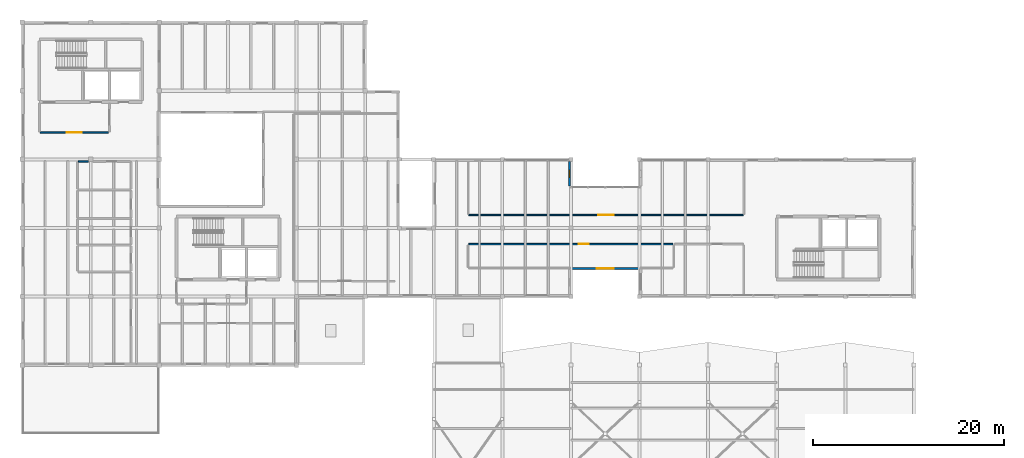
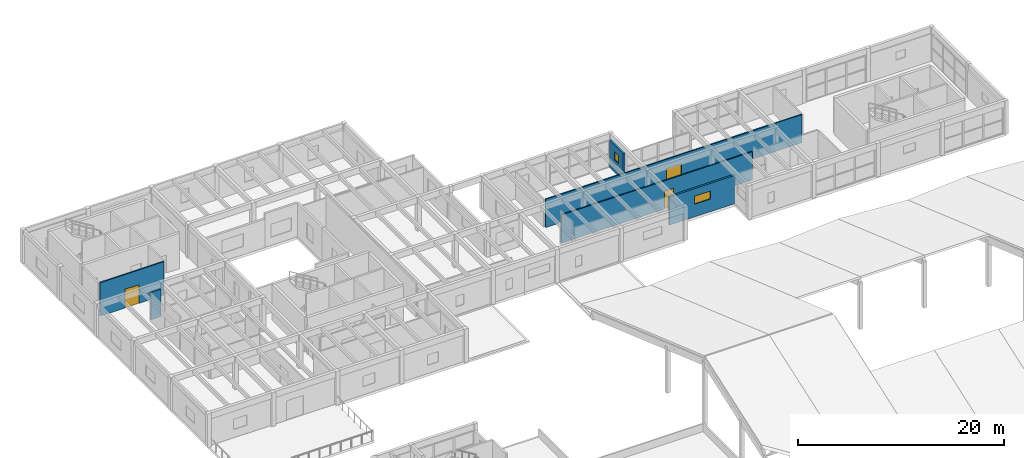
# One storey, part 58 of 68: 6 walls, 3 doors, 2 windows, 5 openings.
"""IFC4 building model written with IfcOpenShell, lengths in metres."""

from ifc_helpers import new_model, si_unit, direction, frame, frame_2d, origin, place, context, subcontext, project, spatial, rectangle, extrude, material, layer, layer_set, type_object, element, fill, save


model = new_model("IFC4")

# Units and contexts
model_context = context("Model", 3, precision=1e-05, world=origin(), true_north=direction((0.0, 1.0)))
body_context = subcontext(model_context, "Body", "Model", "MODEL_VIEW")
ifc_project = project(units=[si_unit("LENGTHUNIT", "METRE"), si_unit("AREAUNIT", "SQUARE_METRE"), si_unit("VOLUMEUNIT", "CUBIC_METRE"), si_unit("PLANEANGLEUNIT", "RADIAN"), si_unit("MASSUNIT", "GRAM", prefix="KILO")], contexts=[model_context])

# Site, building, storey
site_placement = place(None, origin())
site = spatial("IfcSite", under=ifc_project, at=site_placement, CompositionType="ELEMENT")
building_placement = place(site_placement, origin())
building = spatial("IfcBuilding", under=site, at=building_placement, Name="Bramvelor Terrace Health Centre", CompositionType="ELEMENT")
storey_placement = place(building_placement, frame((0.0, 0.0, 9.300048828125)))
storey = spatial("IfcBuildingStorey", under=building, at=storey_placement, Name="L03", CompositionType="ELEMENT", Elevation=9.300048828125)

# Wall, opening, door
ifc_material_1 = material(Name="Fire-rated gypsum and mineral wool", Category="gypsum")
ifc_layer_1 = layer(ifc_material_1, 0.139892578125)
ifc_layer_set_1 = layer_set([ifc_layer_1], Name="Fire-rated gypsum and mineral wool")
wall_type_1 = type_object("IfcWallType", Name="WL-COR-140", PredefinedType="PARTITIONING", material=ifc_layer_set_1)
wall_1_placement = place(storey_placement, frame((46.89208984375, 91.89794921875, 0.0), z_axis=(0.0, 0.0, 1.0), x_axis=(1.0, 0.0, 0.0)))
wall_1 = element("IfcWall", 1, at=wall_1_placement, inside=storey, type_object=wall_type_1, Name="L03 Interior Partition 265", PredefinedType="PARTITIONING", context=body_context, shape_type="SweptSolid", body=[
    extrude(rectangle(XDim=21.41796875, YDim=0.139892578125, at=frame_2d((10.708984375, 0.0))), origin(), (0.0, 0.0, 1.0), 3.349853515625),
])
opening_1_placement = place(wall_1_placement, frame((11.5390625, 0.0, 0.0)))
opening_1 = element("IfcOpeningElement", 2, at=opening_1_placement, cuts=wall_1, Name="Opening FD-07", PredefinedType="OPENING", context=body_context, shape_type="SweptSolid", body=[
    extrude(rectangle(XDim=1.0400390625, YDim=2.1201171875, at=frame_2d((0.52001953125, 1.06005859375))), frame((0.0, 0.079833984375, 0.0), z_axis=(0.0, -1.0, 0.0), x_axis=(1.0, 0.0, 0.0)), (0.0, 0.0, 1.0), 0.159912109375),
])
ifc_material_2 = material(Name="Fire-rated steel and vision panel", Category="steel")
door_type_1 = type_object("IfcDoorType", Name="DR-FD60-104", OperationType="NOTDEFINED", PredefinedType="DOOR", material=ifc_material_2)
door_1_placement = place(opening_1_placement, origin())
door_1 = element("IfcDoor", 3, at=door_1_placement, inside=storey, type_object=door_type_1, Name="L03 Haematology and Biochemistry Analyser Lab Fire Door", OperationType="SINGLE_SWING_RIGHT", OverallHeight=2.1201171875, OverallWidth=1.0400390625, PredefinedType="DOOR", context=body_context, shape_type="SweptSolid", body=[
    extrude(rectangle(XDim=1.0400390625, YDim=2.1201171875, at=frame_2d((0.52001953125, 1.06005859375))), frame((0.0, 0.02490234375, 0.0), z_axis=(0.0, -1.0, 0.0), x_axis=(1.0, 0.0, 0.0)), (0.0, 0.0, 1.0), 0.050048828125),
])
fill(opening_1, door_1)

wall_2_placement = place(storey_placement, frame((75.659912109375, 94.951904296875, 0.0), z_axis=(0.0, 0.0, 1.0), x_axis=(-1.0, 0.0, 0.0)))
wall_2 = element("IfcWall", 4, at=wall_2_placement, inside=storey, type_object=wall_type_1, Name="L03 Interior Partition 269", PredefinedType="PARTITIONING", context=body_context, shape_type="SweptSolid", body=[
    extrude(rectangle(XDim=28.77001953125, YDim=0.139892578125, at=frame_2d((14.385009765625, 0.0))), origin(), (0.0, 0.0, 1.0), 3.349853515625),
])
opening_2_placement = place(wall_2_placement, frame((13.56494140625, 0.0, 0.0)))
opening_2 = element("IfcOpeningElement", 5, at=opening_2_placement, cuts=wall_2, Name="Opening FD-09", PredefinedType="OPENING", context=body_context, shape_type="SweptSolid", body=[
    extrude(rectangle(XDim=1.639892578125, YDim=2.239990234375, at=frame_2d((0.81982421875, 1.1201171875))), frame((0.0, 0.079833984375, 0.0), z_axis=(0.0, -1.0, 0.0), x_axis=(1.0, 0.0, 0.0)), (0.0, 0.0, 1.0), 0.159912109375),
])
ifc_material_3 = material(Name="Fire-rated steel and vision panel", Category="steel")
door_type_2 = type_object("IfcDoorType", Name="DR-FD60-164", OperationType="DOUBLE_DOOR_SINGLE_SWING", PredefinedType="DOOR", material=ifc_material_3)
door_2_placement = place(opening_2_placement, origin())
door_2 = element("IfcDoor", 6, at=door_2_placement, inside=storey, type_object=door_type_2, Name="L03 Blood Bank and Specimen Reception Lab Fire Door", OperationType="DOUBLE_DOOR_SINGLE_SWING", OverallHeight=2.239990234375, OverallWidth=1.639892578125, PredefinedType="DOOR", context=body_context, shape_type="SweptSolid", body=[
    extrude(rectangle(XDim=1.639892578125, YDim=2.239990234375, at=frame_2d((0.81982421875, 1.1201171875))), frame((0.0, 0.02490234375, 0.0), z_axis=(0.0, -1.0, 0.0), x_axis=(1.0, 0.0, 0.0)), (0.0, 0.0, 1.0), 0.050048828125),
])
fill(opening_2, door_2)

# Wall, opening, window
ifc_material_4 = material(Name="Cross-laminated timber C24", Category="wood")
ifc_layer_2 = layer(ifc_material_4, 0.219970703125)
ifc_layer_set_2 = layer_set([ifc_layer_2], Name="Cross-laminated timber C24")
wall_type_2 = type_object("IfcWallType", Name="WL-EXT-CLT220", PredefinedType="SOLIDWALL", material=ifc_layer_set_2)
wall_3_placement = place(storey_placement, frame((57.469970703125, 100.594970703125, 0.0), z_axis=(0.0, 0.0, 1.0), x_axis=(0.0, -1.0, 0.0)))
wall_3 = element("IfcWall", 7, at=wall_3_placement, inside=storey, type_object=wall_type_2, Name="L03 Exterior Facade Wall 45", PredefinedType="SOLIDWALL", context=body_context, shape_type="SweptSolid", body=[
    extrude(rectangle(XDim=2.614990234375, YDim=0.219970703125, at=frame_2d((1.3076171875, 0.0))), origin(), (0.0, 0.0, 1.0), 3.27001953125),
])
opening_3_placement = place(wall_3_placement, frame((0.9326171875, 0.0, 1.5)))
opening_3 = element("IfcOpeningElement", 8, at=opening_3_placement, cuts=wall_3, Name="Opening WN-13", PredefinedType="OPENING", context=body_context, shape_type="SweptSolid", body=[
    extrude(rectangle(XDim=0.75, YDim=0.949951171875, at=frame_2d((0.375, 0.47509765625))), frame((0.0, 0.119873046875, 0.0), z_axis=(0.0, -1.0, 0.0), x_axis=(1.0, 0.0, 0.0)), (0.0, 0.0, 1.0), 0.239990234375),
])
ifc_material_5 = material(Name="Double low-E laminated glass", Category="glass")
window_type_1 = type_object("IfcWindowType", Name="WIN-EXT-13", PartitioningType="SINGLE_PANEL", PredefinedType="WINDOW", material=ifc_material_5)
window_1_placement = place(opening_3_placement, origin())
window_1 = element("IfcWindow", 9, at=window_1_placement, inside=storey, type_object=window_type_1, Name="L03 Scheduled Clinical Window 132", OverallHeight=0.949951171875, OverallWidth=0.75, PartitioningType="SINGLE_PANEL", PredefinedType="WINDOW", context=body_context, shape_type="SweptSolid", body=[
    extrude(rectangle(XDim=0.75, YDim=0.949951171875, at=frame_2d((0.375, 0.47509765625))), frame((0.0, 0.030029296875, 0.0), z_axis=(0.0, -1.0, 0.0), x_axis=(1.0, 0.0, 0.0)), (0.0, 0.0, 1.0), 0.06005859375),
])
fill(opening_3, window_1)

wall_4_placement = place(storey_placement, frame((64.840087890625, 89.330078125, 0.0), z_axis=(0.0, 0.0, 1.0), x_axis=(-1.0, 0.0, 0.0)))
wall_4 = element("IfcWall", 10, at=wall_4_placement, inside=storey, type_object=wall_type_2, Name="L03 Exterior Facade Wall 59", PredefinedType="SOLIDWALL", context=body_context, shape_type="SweptSolid", body=[
    extrude(rectangle(XDim=7.321044921875, YDim=0.219970703125, at=frame_2d((3.66064453125, 0.0))), origin(), (0.0, 0.0, 1.0), 3.349853515625),
])
opening_4_placement = place(wall_4_placement, frame((2.739990234375, 0.0, 1.5)))
opening_4 = element("IfcOpeningElement", 11, at=opening_4_placement, cuts=wall_4, Name="Opening WN-20", PredefinedType="OPENING", context=body_context, shape_type="SweptSolid", body=[
    extrude(rectangle(XDim=1.800048828125, YDim=0.949951171875, at=frame_2d((0.89990234375, 0.47509765625))), frame((0.0, 0.119873046875, 0.0), z_axis=(0.0, -1.0, 0.0), x_axis=(1.0, 0.0, 0.0)), (0.0, 0.0, 1.0), 0.239990234375),
])
ifc_material_6 = material(Name="Double low-E laminated glass", Category="glass")
window_type_2 = type_object("IfcWindowType", Name="WIN-EXT-20", PartitioningType="SINGLE_PANEL", PredefinedType="WINDOW", material=ifc_material_6)
window_2_placement = place(opening_4_placement, origin())
window_2 = element("IfcWindow", 12, at=window_2_placement, inside=storey, type_object=window_type_2, Name="L03 Scheduled Clinical Window 140", OverallHeight=0.949951171875, OverallWidth=1.800048828125, PartitioningType="SINGLE_PANEL", PredefinedType="WINDOW", context=body_context, shape_type="SweptSolid", body=[
    extrude(rectangle(XDim=1.800048828125, YDim=0.949951171875, at=frame_2d((0.89990234375, 0.47509765625))), frame((0.0, 0.030029296875, 0.0), z_axis=(0.0, -1.0, 0.0), x_axis=(1.0, 0.0, 0.0)), (0.0, 0.0, 1.0), 0.06005859375),
])
fill(opening_4, window_2)

# Wall, opening, door
ifc_material_7 = material(Name="Fire-rated gypsum and mineral wool", Category="gypsum")
ifc_layer_3 = layer(ifc_material_7, 0.14990234375)
ifc_layer_set_3 = layer_set([ifc_layer_3], Name="Fire-rated gypsum and mineral wool")
wall_type_3 = type_object("IfcWallType", Name="WL-FIR-150", PredefinedType="PARTITIONING", material=ifc_layer_set_3)
wall_5_placement = place(storey_placement, frame((9.06005859375, 103.60009765625, 0.0), z_axis=(0.0, 0.0, 1.0), x_axis=(-1.0, 0.0, 0.0)))
wall_5 = element("IfcWall", 13, at=wall_5_placement, inside=storey, type_object=wall_type_3, Name="L03 Interior Partition 223", PredefinedType="PARTITIONING", context=body_context, shape_type="SweptSolid", body=[
    extrude(rectangle(XDim=7.170166015625, YDim=0.14990234375, at=frame_2d((3.5849609375, 0.0))), origin(), (0.0, 0.0, 1.0), 3.969970703125),
])
opening_5_placement = place(wall_5_placement, frame((2.804931640625, 0.0, 0.0)))
opening_5 = element("IfcOpeningElement", 14, at=opening_5_placement, cuts=wall_5, Name="Opening FD-03", PredefinedType="OPENING", context=body_context, shape_type="SweptSolid", body=[
    extrude(rectangle(XDim=1.56005859375, YDim=2.219970703125, at=frame_2d((0.780029296875, 1.10986328125))), frame((0.0, 0.0849609375, 0.0), z_axis=(0.0, -1.0, 0.0), x_axis=(1.0, 0.0, 0.0)), (0.0, 0.0, 1.0), 0.169921875),
])
ifc_material_8 = material(Name="Fire-rated steel and vision panel", Category="steel")
door_type_3 = type_object("IfcDoorType", Name="DR-FD90-156", OperationType="DOUBLE_DOOR_SINGLE_SWING", PredefinedType="DOOR", material=ifc_material_8)
door_3_placement = place(opening_5_placement, origin())
door_3 = element("IfcDoor", 15, at=door_3_placement, inside=storey, type_object=door_type_3, Name="L03 Fire Compartment Lobby Door 88", OperationType="DOUBLE_DOOR_SINGLE_SWING", OverallHeight=2.219970703125, OverallWidth=1.56005859375, PredefinedType="DOOR", context=body_context, shape_type="SweptSolid", body=[
    extrude(rectangle(XDim=1.56005859375, YDim=2.219970703125, at=frame_2d((0.780029296875, 1.10986328125))), frame((0.0, 0.02490234375, 0.0), z_axis=(0.0, -1.0, 0.0), x_axis=(1.0, 0.0, 0.0)), (0.0, 0.0, 1.0), 0.050048828125),
])
fill(opening_5, door_3)

# Wall
ifc_material_9 = material(Name="Moisture-resistant service chase board", Category="gypsum")
ifc_layer_4 = layer(ifc_material_9, 0.159912109375)
ifc_layer_set_4 = layer_set([ifc_layer_4], Name="Moisture-resistant service chase board")
wall_type_4 = type_object("IfcWallType", Name="WL-PLM-160", PredefinedType="PLUMBINGWALL", material=ifc_layer_set_4)
wall_6_placement = place(storey_placement, frame((5.889892578125, 100.597900390625, 0.0), z_axis=(0.0, 0.0, 1.0), x_axis=(1.0, 0.0, 0.0)))
element("IfcWall", 16, at=wall_6_placement, inside=storey, type_object=wall_type_4, Name="L03 Interior Partition 230", PredefinedType="PLUMBINGWALL", context=body_context, shape_type="SweptSolid", body=[
    extrude(rectangle(XDim=1.070068359375, YDim=0.159912109375, at=frame_2d((0.53515625, 0.0))), origin(), (0.0, 0.0, 1.0), 3.27001953125),
])

save(model, "model.ifc")
